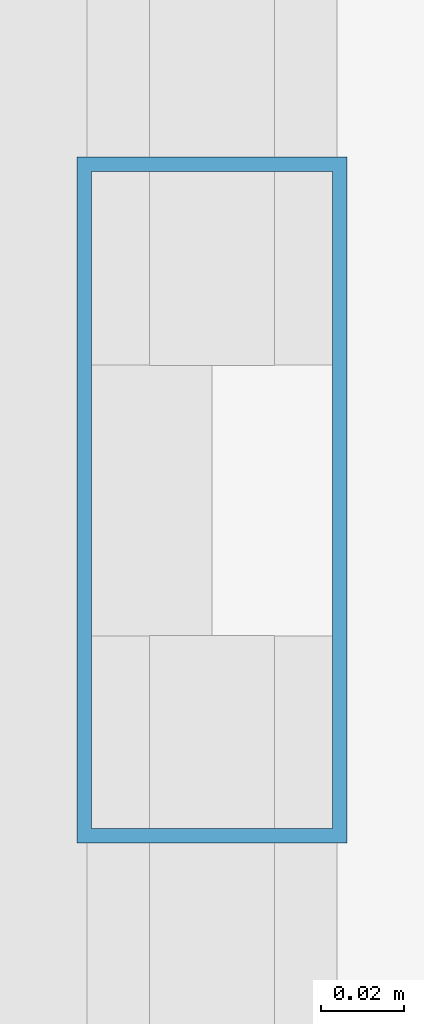
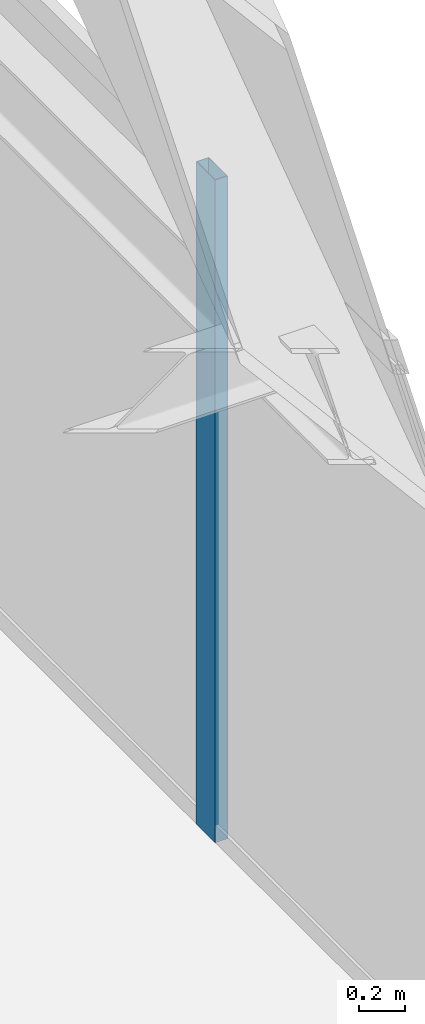
# One storey, part 18 of 34: 1 member, 1 element without a shape of its own.
"""IFC4 building model written with IfcOpenShell, lengths in metres."""

from ifc_helpers import new_model, si_unit, direction, frame, origin, origin_2d, place, context, subcontext, project, spatial, hollow_rectangle, extrude, source, transform, mapped, material, layer, layer_set, material_profile, profile_set, type_object, type_shapes, element, aggregate, save


model = new_model("IFC4")

# Units and contexts
model_context = context("Model", 3, precision=1e-05, world=origin(), true_north=direction((0.0, 1.0)))
body_context = subcontext(model_context, "Body", "Model", "MODEL_VIEW")
ifc_project = project(units=[si_unit("LENGTHUNIT", "METRE"), si_unit("AREAUNIT", "SQUARE_METRE"), si_unit("VOLUMEUNIT", "CUBIC_METRE"), si_unit("PLANEANGLEUNIT", "RADIAN"), si_unit("MASSUNIT", "GRAM", prefix="KILO")], contexts=[model_context])

# Site, building, storey
site_placement = place(None, origin())
site = spatial("IfcSite", under=ifc_project, at=site_placement, CompositionType="ELEMENT")
building_placement = place(site_placement, origin())
building = spatial("IfcBuilding", under=site, at=building_placement, Name="Varnel Quay Broadcast Tower", CompositionType="ELEMENT")
storey_placement = place(building_placement, frame((0.0, 0.0, 161.0)))
storey = spatial("IfcBuildingStorey", under=building, at=storey_placement, Name="L39", CompositionType="ELEMENT", Elevation=161.0)

# Curtain wall, member
ifc_material = material(Name="Anodised Bronze Aluminium 6063-T6", Category="aluminium")
ifc_layer = layer(ifc_material, 0.18994140625, Name="Anodised Bronze Aluminium 6063-T6")
ifc_layer_set = layer_set([ifc_layer], Name="Anodised Bronze Aluminium 6063-T6")
curtain_wall_type = type_object("IfcCurtainWallType", Name="CW_UpperTower", PredefinedType="NOTDEFINED", material=ifc_layer_set)
curtain_wall_placement = place(storey_placement, origin())
curtain_wall = element("IfcCurtainWall", 1, at=curtain_wall_placement, inside=storey, type_object=curtain_wall_type, Name="L39 East Unitised Curtain Wall", PredefinedType="NOTDEFINED")
ifc_material_profile = material_profile(ifc_material, hollow_rectangle(XDim=0.06494140625, YDim=0.1650390625, WallThickness=0.00341796875, at=origin_2d()), Name="ALU65X165X3.5")
ifc_profile_set = profile_set([ifc_material_profile], Name="Anodised Bronze Aluminium 6063-T6")
member_type = type_object("IfcMemberType", Name="Mull_CWS-03", PredefinedType="MULLION", material=ifc_profile_set)
shared_shape = source(origin(), body_context, "Body", "SweptSolid", [
    extrude(hollow_rectangle(XDim=0.06494140625, YDim=0.1650390625, WallThickness=0.00341796875, at=origin_2d()), origin(), (0.0, 0.0, 1.0), 3.550048828125),
])
type_shapes(member_type, [shared_shape])
member_placement = place(storey_placement, frame((60.85009765625, 21.60009765625, 0.0), z_axis=(0.0, 0.0, 1.0), x_axis=(-1.0, 0.0, 0.0)))
member = element("IfcMember", 2, at=member_placement, type_object=member_type, Name="CWS-03 mullion 2", PredefinedType="MULLION", context=body_context, shape_type="MappedRepresentation", body=[
    mapped(shared_shape, transform((0.0, 0.0, 0.0), x_axis=(1.0, 0.0, 0.0), y_axis=(0.0, 1.0, 0.0), z_axis=(0.0, 0.0, 1.0), scale=1.0)),
])
aggregate(curtain_wall, [member])

save(model, "model.ifc")
